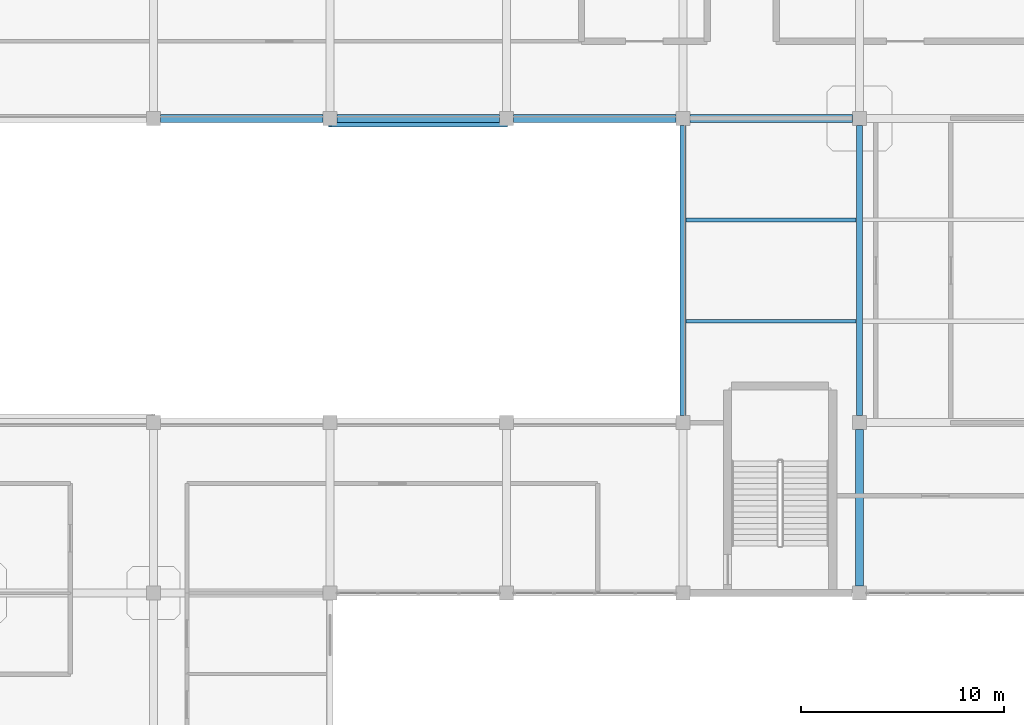
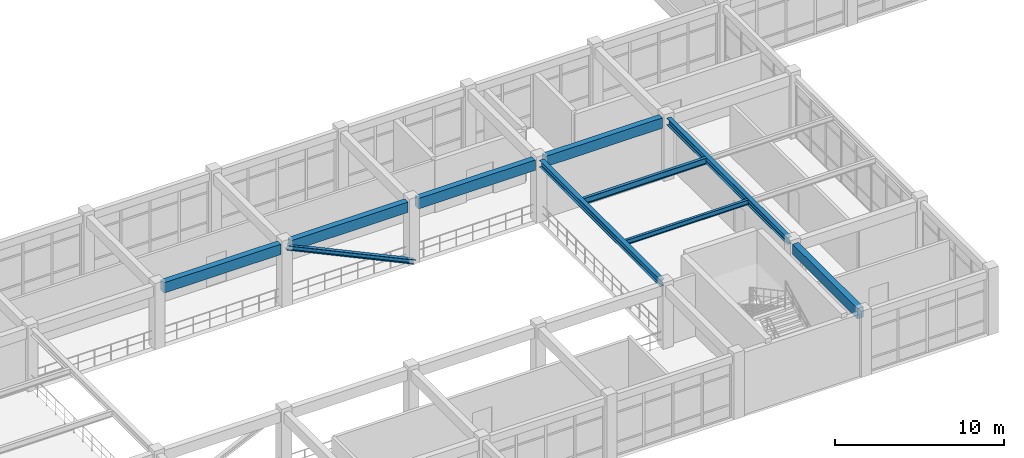
# One storey, part 27 of 76: 9 beams, 1 member.
"""IFC4 building model written with IfcOpenShell, lengths in metres."""

from ifc_helpers import new_model, si_unit, derived_unit, direction, frame, origin, origin_2d, place, context, subcontext, project, spatial, rectangle, i_section, extrude, material, material_profile, profile_set, type_object, element, save


model = new_model("IFC4")

# Units and contexts
model_context = context("Model", 3, precision=1e-05, world=origin(), true_north=direction((0.0, 1.0)))
body_context = subcontext(model_context, "Body", "Model", "MODEL_VIEW")
ifc_project = project(units=[si_unit("LENGTHUNIT", "METRE"), si_unit("AREAUNIT", "SQUARE_METRE"), si_unit("VOLUMEUNIT", "CUBIC_METRE"), si_unit("PLANEANGLEUNIT", "RADIAN"), si_unit("MASSUNIT", "GRAM", prefix="KILO"), derived_unit("THERMALTRANSMITTANCEUNIT", [(si_unit("MASSUNIT", "GRAM", prefix="KILO"), 1), (si_unit("TIMEUNIT", "SECOND"), -3), (si_unit("THERMODYNAMICTEMPERATUREUNIT", "KELVIN"), -1)])], contexts=[model_context])

# Site, building, storey
site_placement = place(None, origin())
site = spatial("IfcSite", under=ifc_project, at=site_placement, CompositionType="ELEMENT")
building_placement = place(site_placement, origin())
building = spatial("IfcBuilding", under=site, at=building_placement, Name="Qinzheling Arcade Emporium", CompositionType="ELEMENT")
storey_placement = place(building_placement, frame((0.0, 0.0, 26.699951171875)))
storey = spatial("IfcBuildingStorey", under=building, at=storey_placement, Name="L06", CompositionType="ELEMENT", Elevation=26.699951171875)

# Beams
ifc_material_1 = material(Name="Structural steel Q355B", Category="steel")
ifc_material_profile_1 = material_profile(ifc_material_1, i_section(OverallWidth=0.300048828125, OverallDepth=0.488037109375, WebThickness=0.010986328125, FlangeThickness=0.01806640625, FilletRadius=0.02197265625, at=origin_2d()), Name="HM 488x300x11x18", Category="steel")
ifc_profile_set_1 = profile_set([ifc_material_profile_1], Name="Structural steel Q355B")
beam_type_1 = type_object("IfcBeamType", Name="Atrium Bridge Girder HM488 Q355B", PredefinedType="USERDEFINED", material=ifc_profile_set_1)
for number, where, z_axis, x_axis, name in (
    (1, (87.0, 50.75, 4.276123046875), (0.0, 1.0, 0.0), (-1.0, 0.0, 0.0), "Beam BM-L06-Y-11-G"),
    (2, (95.699951171875, 50.75, 4.276123046875), (0.0, 1.0, 0.0), (-1.0, 0.0, 0.0), "Beam BM-L06-Y-12-G"),
):
    element("IfcBeam", number, at=place(storey_placement, frame(where, z_axis=z_axis, x_axis=x_axis)), inside=storey, type_object=beam_type_1, Name=name, ObjectType="TRANSFER_GIRDER", PredefinedType="USERDEFINED", context=body_context, shape_type="SweptSolid", body=[
        extrude(i_section(OverallWidth=0.300048828125, OverallDepth=0.488037109375, WebThickness=0.010986328125, FlangeThickness=0.01806640625, FilletRadius=0.02197265625, at=origin_2d()), origin(), (0.0, 0.0, 1.0), 14.300048828125),
    ])
ifc_material_profile_2 = material_profile(ifc_material_1, i_section(OverallWidth=0.175048828125, OverallDepth=0.35009765625, WebThickness=0.007080078125, FlangeThickness=0.010986328125, FilletRadius=0.013916015625, at=origin_2d()), Name="HN 350x175x7x11", Category="steel")
ifc_profile_set_2 = profile_set([ifc_material_profile_2], Name="Structural steel Q355B")
beam_type_2 = type_object("IfcBeamType", Name="Canopy Secondary Joist HN350 Q355B", PredefinedType="JOIST", material=ifc_profile_set_2)
beam_1_placement = place(storey_placement, frame((87.155029296875, 55.39990234375, 4.344970703125), z_axis=(1.0, 0.0, 0.0), x_axis=(0.0, 1.0, 0.0)))
element("IfcBeam", 3, at=beam_1_placement, inside=storey, type_object=beam_type_2, Name="Secondary Joist JST-L06-11-1", PredefinedType="JOIST", context=body_context, shape_type="SweptSolid", body=[
    extrude(i_section(OverallWidth=0.175048828125, OverallDepth=0.35009765625, WebThickness=0.007080078125, FlangeThickness=0.010986328125, FilletRadius=0.013916015625, at=origin_2d()), origin(), (0.0, 0.0, 1.0), 8.389892578125),
])

# Member
ifc_material_profile_3 = material_profile(ifc_material_1, i_section(OverallWidth=0.300048828125, OverallDepth=0.300048828125, WebThickness=0.010009765625, FlangeThickness=0.014892578125, FilletRadius=0.01806640625, at=origin_2d()), Name="HW 300x300x10x15", Category="steel")
ifc_profile_set_3 = profile_set([ifc_material_profile_3], Name="Structural steel Q355B")
member_type = type_object("IfcMemberType", Name="Escalator Truss Stringer HW300 Q355B", PredefinedType="STRINGER", material=ifc_profile_set_3)
member_placement = place(storey_placement, frame((78.300048828125, 65.1201171875, 0.179931640625), z_axis=(-0.905780118724, 0.0, 0.423748010643), x_axis=(0.0, -1.0, 0.0)))
element("IfcMember", 4, at=member_placement, inside=storey, type_object=member_type, Name="Escalator Stringer ESC-STR-L06-2", PredefinedType="STRINGER", context=body_context, shape_type="SweptSolid", body=[
    extrude(i_section(OverallWidth=0.300048828125, OverallDepth=0.300048828125, WebThickness=0.010009765625, FlangeThickness=0.014892578125, FilletRadius=0.01806640625, at=origin_2d()), origin(), (0.0, 0.0, 1.0), 9.60498046875),
])

# Beams
ifc_material_2 = material(Name="Concrete C40", Category="concrete")
ifc_material_profile_4 = material_profile(ifc_material_2, rectangle(XDim=0.39990234375, YDim=0.75, at=origin_2d()), Name="RC 400x750", Category="concrete")
ifc_profile_set_4 = profile_set([ifc_material_profile_4], Name="Concrete C40")
beam_type_3 = type_object("IfcBeamType", Name="RC Interior Tie Beam 400x750 C40", PredefinedType="BEAM", material=ifc_profile_set_4)
for number, where, z_axis, x_axis, name in (
    (5, (61.25, 65.39990234375, 4.14501953125), (1.0, 0.0, 0.0), (0.0, 1.0, 0.0), "Beam BM-L06-X-H-8"),
    (6, (69.949951171875, 65.39990234375, 4.14501953125), (1.0, 0.0, 0.0), (0.0, 1.0, 0.0), "Beam BM-L06-X-H-9"),
    (7, (78.64990234375, 65.39990234375, 4.14501953125), (1.0, 0.0, 0.0), (0.0, 1.0, 0.0), "Beam BM-L06-X-H-10"),
    (8, (87.35009765625, 65.39990234375, 4.14501953125), (1.0, 0.0, 0.0), (0.0, 1.0, 0.0), "Beam BM-L06-X-H-11"),
):
    element("IfcBeam", number, at=place(storey_placement, frame(where, z_axis=z_axis, x_axis=x_axis)), inside=storey, type_object=beam_type_3, Name=name, PredefinedType="BEAM", context=body_context, shape_type="SweptSolid", body=[
        extrude(rectangle(XDim=0.39990234375, YDim=0.75, at=origin_2d()), origin(), (0.0, 0.0, 1.0), 8.0),
    ])
beam_2_placement = place(storey_placement, frame((95.699951171875, 42.35009765625, 4.14501953125), z_axis=(0.0, 1.0, 0.0), x_axis=(-1.0, 0.0, 0.0)))
element("IfcBeam", 9, at=beam_2_placement, inside=storey, type_object=beam_type_3, Name="Beam BM-L06-Y-12-F", PredefinedType="BEAM", context=body_context, shape_type="SweptSolid", body=[
    extrude(rectangle(XDim=0.39990234375, YDim=0.75, at=origin_2d()), origin(), (0.0, 0.0, 1.0), 7.699951171875),
])
ifc_material_profile_5 = material_profile(ifc_material_1, i_section(OverallWidth=0.199951171875, OverallDepth=0.449951171875, WebThickness=0.009033203125, FlangeThickness=0.013916015625, FilletRadius=0.01611328125, at=origin_2d()), Name="HN 450x200x9x14", Category="steel")
ifc_profile_set_5 = profile_set([ifc_material_profile_5], Name="Structural steel Q355B")
beam_type_4 = type_object("IfcBeamType", Name="Secondary Floor Joist HN450 Q355B", PredefinedType="JOIST", material=ifc_profile_set_5)
beam_3_placement = place(storey_placement, frame((87.155029296875, 60.39990234375, 4.295166015625), z_axis=(1.0, 0.0, 0.0), x_axis=(0.0, 1.0, 0.0)))
element("IfcBeam", 10, at=beam_3_placement, inside=storey, type_object=beam_type_4, Name="Secondary Joist JST-L06-11-2", PredefinedType="JOIST", context=body_context, shape_type="SweptSolid", body=[
    extrude(i_section(OverallWidth=0.199951171875, OverallDepth=0.449951171875, WebThickness=0.009033203125, FlangeThickness=0.013916015625, FilletRadius=0.01611328125, at=origin_2d()), origin(), (0.0, 0.0, 1.0), 8.389892578125),
])

save(model, "model.ifc")
